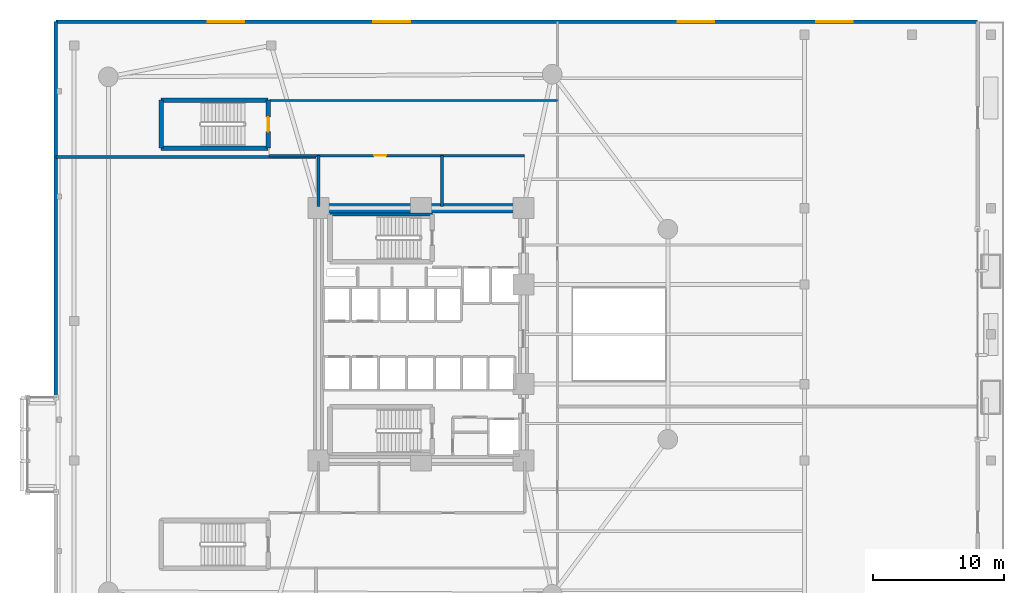
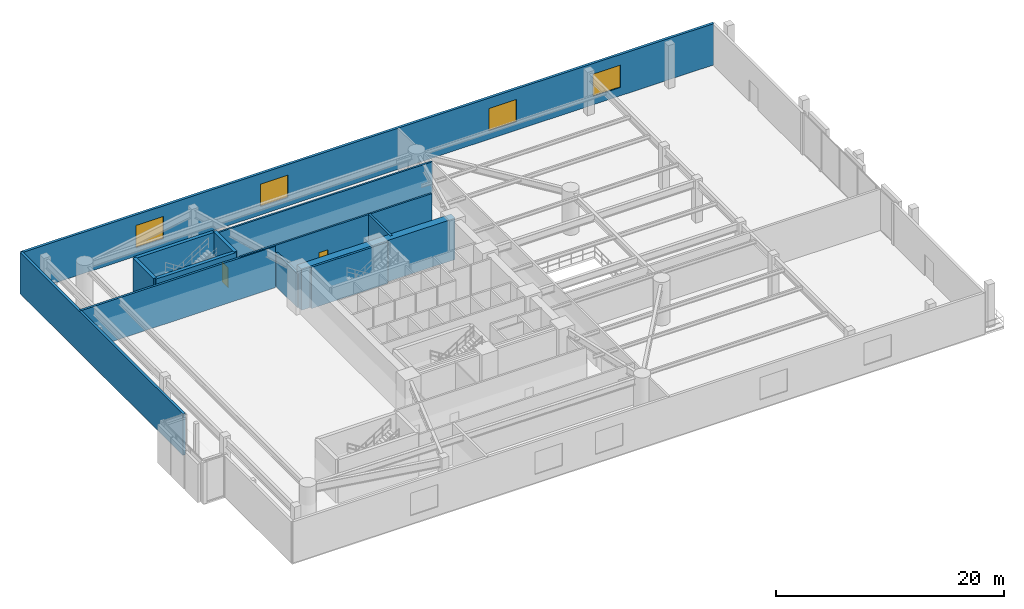
# One storey, part 12 of 16: 13 walls, 4 windows, 2 doors, 6 openings.
"""IFC4 building model written with IfcOpenShell, lengths in metres."""

import ifcopenshell
import ifcopenshell.guid

model = None  # the IFC model being written
_history = None  # IfcOwnerHistory: only IFC2X3 demands one
_inside = {}  # id of a spatial element -> (the spatial element, [elements in it])
_under = {}  # id of a project, library or spatial element -> (it, [spatial elements below it])
_declared = {}  # id of a project -> (the project, [libraries it declares])
_typed = {}  # id of a type object -> (the type object, [elements of that type])
_made_of = {}  # id of a material, layer set ... -> (it, [elements and type objects made of it])


def new_model(schema):
    """Start an empty IFC model of exactly this schema.

    Asked for "IFC4X3", IfcOpenShell would pick the latest addendum, in which some entities
    have other attributes; the version numbers below select the first issue.
    IFC2X3 requires an IfcOwnerHistory on every rooted entity: one is made here for all.
    """
    global model, _history
    if schema == "IFC4X3":
        model = ifcopenshell.file(schema_version=(4, 3, 0, 0))
    else:
        model = ifcopenshell.file(schema=schema)
    _inside.clear()
    _under.clear()
    _declared.clear()
    _typed.clear()
    _made_of.clear()
    _history = None
    if model.schema == "IFC2X3":
        org = make("IfcOrganization", Name="unknown")
        user = make(
            "IfcPersonAndOrganization",
            ThePerson=make("IfcPerson", FamilyName="unknown"),
            TheOrganization=org,
        )
        app = make(
            "IfcApplication",
            ApplicationDeveloper=org,
            Version="unknown",
            ApplicationFullName="unknown",
            ApplicationIdentifier="unknown",
        )
        _history = make(
            "IfcOwnerHistory",
            OwningUser=user,
            OwningApplication=app,
            ChangeAction="ADDED",
            CreationDate=0,
        )
    return model


def make(cls, **values):
    """One entity of the class cls with the attributes given. An attribute that is None is left unset."""
    return model.create_entity(
        cls, **{name: value for name, value in values.items() if value is not None}
    )


def rooted(cls, **values):
    """An entity with a GlobalId (a new one), such as an element, a storey or a relation."""
    return make(cls, GlobalId=ifcopenshell.guid.new(), OwnerHistory=_history, **values)


def si_unit(unit_type, name, prefix=None):
    """IfcSIUnit, for example si_unit("LENGTHUNIT", "METRE", prefix="MILLI")."""
    return make("IfcSIUnit", UnitType=unit_type, Prefix=prefix, Name=name)


def assignment(units):
    """IfcUnitAssignment: the units of a project."""
    return None if units is None else make("IfcUnitAssignment", Units=units)


def point(xyz):
    """IfcCartesianPoint."""
    return None if xyz is None else make("IfcCartesianPoint", Coordinates=xyz)


def direction(xyz):
    """IfcDirection."""
    return None if xyz is None else make("IfcDirection", DirectionRatios=xyz)


def frame(location, z_axis=None, x_axis=None):
    """IfcAxis2Placement3D, a coordinate frame: its origin and axes. An axis left out is left unset."""
    return make(
        "IfcAxis2Placement3D",
        Location=point(location),
        Axis=direction(z_axis),
        RefDirection=direction(x_axis),
    )


def frame_2d(location, x_axis=None):
    """IfcAxis2Placement2D, a coordinate frame in the plane: its origin and x axis."""
    return make(
        "IfcAxis2Placement2D", Location=point(location), RefDirection=direction(x_axis)
    )


def origin():
    """The frame at (0, 0, 0) with its axes left unset."""
    return frame((0.0, 0.0, 0.0))


def place(relative_to, where):
    """IfcLocalPlacement: puts the frame where relative to a parent placement (None: the world)."""
    return make(
        "IfcLocalPlacement", PlacementRelTo=relative_to, RelativePlacement=where
    )


def context(
    kind, dimensions, precision=None, world=None, true_north=None, identifier=None
):
    """IfcGeometricRepresentationContext, for example the 3D "Model" context."""
    return make(
        "IfcGeometricRepresentationContext",
        ContextIdentifier=identifier,
        ContextType=kind,
        CoordinateSpaceDimension=dimensions,
        Precision=precision,
        WorldCoordinateSystem=world,
        TrueNorth=true_north,
    )


def subcontext(parent, identifier, kind, view, scale=None):
    """IfcGeometricRepresentationSubContext, for example "Body" below "Model"."""
    return make(
        "IfcGeometricRepresentationSubContext",
        ContextIdentifier=identifier,
        ContextType=kind,
        ParentContext=parent,
        TargetScale=scale,
        TargetView=view,
    )


def project(units=None, contexts=None):
    """IfcProject with its units and contexts."""
    return rooted(
        "IfcProject",
        Name="project",
        RepresentationContexts=contexts,
        UnitsInContext=assignment(units),
    )


def spatial(cls, under=None, at=None, **own):
    """A site, building, storey or space (cls), placed at a placement, below another one or the project."""
    s = rooted(cls, ObjectPlacement=at, **own)
    if under is not None:
        _under.setdefault(under.id(), (under, []))[1].append(s)
    return s


def profile(cls, at=None, kind="AREA", **sizes):
    """A parametric profile (cls). Its sizes go by their IFC names, for example OverallWidth=200.0."""
    return make(cls, ProfileType=kind, Position=at, **sizes)


def rectangle(**sizes):
    """IfcRectangleProfileDef."""
    return profile("IfcRectangleProfileDef", **sizes)


def extrude(swept, where, along, depth):
    """IfcExtrudedAreaSolid: the profile swept, set in the frame where, extruded along a direction by depth."""
    return make(
        "IfcExtrudedAreaSolid",
        SweptArea=swept,
        Position=where,
        ExtrudedDirection=direction(along),
        Depth=depth,
    )


def shape(context_of_items, identifier, shape_type, items):
    """IfcShapeRepresentation: the items that make up one representation, for example the "Body"."""
    return make(
        "IfcShapeRepresentation",
        ContextOfItems=context_of_items,
        RepresentationIdentifier=identifier,
        RepresentationType=shape_type,
        Items=items,
    )


def material(Name=None, Category=None):
    """IfcMaterial."""
    return make("IfcMaterial", Name=Name, Category=Category)


def layer(
    of_material, thickness, ventilated=None, Name=None, Category=None, Priority=None
):
    """IfcMaterialLayer: one layer of a wall or slab, of a material (None: an air gap)."""
    return make(
        "IfcMaterialLayer",
        Material=of_material,
        LayerThickness=thickness,
        IsVentilated=ventilated,
        Name=Name,
        Category=Category,
        Priority=Priority,
    )


def layer_set(layers, Name=None):
    """IfcMaterialLayerSet."""
    return make("IfcMaterialLayerSet", MaterialLayers=layers, LayerSetName=Name)


def made_of(thing, what):
    """Note that an element or type object is made of a material, layer set ...; save() writes the relation."""
    if what is not None:
        _made_of.setdefault(what.id(), (what, []))[1].append(thing)
    return thing


def type_object(cls, material=None, **own):
    """A type object (cls), such as IfcWallType, which elements share."""
    return made_of(rooted(cls, **own), material)


def element(
    cls,
    number,
    at=None,
    inside=None,
    cuts=None,
    type_object=None,
    material=None,
    context=None,
    identifier="Body",
    shape_type=None,
    held_by="IfcProductDefinitionShape",
    body=None,
    shapes=None,
    **own,
):
    """One element of the class cls, such as IfcWall. Its Tag is "e" and its number.

    at: its placement. inside: the storey or other place that contains it. cuts: it is an
    opening in that element (IfcRelVoidsElement). A single representation is given by context,
    identifier, shape_type and body (its items); several are given by shapes. held_by: the class
    of the entity that holds the representations. save() writes the other relations.
    """
    e = rooted(cls, Tag="e%d" % number, ObjectPlacement=at, **own)
    if body is not None:
        shapes = [shape(context, identifier, shape_type, body)]
    if shapes is not None:
        e.Representation = make(held_by, Representations=shapes)
    if inside is not None:
        _inside.setdefault(inside.id(), (inside, []))[1].append(e)
    if cuts is not None:
        rooted(
            "IfcRelVoidsElement", RelatingBuildingElement=cuts, RelatedOpeningElement=e
        )
    if type_object is not None:
        _typed.setdefault(type_object.id(), (type_object, []))[1].append(e)
    return made_of(e, material)


def fill(opening, filler):
    """IfcRelFillsElement: the door or window that sits in an opening."""
    return rooted(
        "IfcRelFillsElement",
        RelatingOpeningElement=opening,
        RelatedBuildingElement=filler,
    )


def aggregate(whole, parts):
    """IfcRelAggregates: a whole, such as a stair, and the parts it consists of."""
    return rooted("IfcRelAggregates", RelatingObject=whole, RelatedObjects=parts)


def save(model, path):
    """Write the relations noted so far, then the file.

    IfcRelAggregates (storeys below a building ...), IfcRelContainedInSpatialStructure (elements
    in a storey), IfcRelDefinesByType, IfcRelAssociatesMaterial and IfcRelDeclares: one each for
    every whole, place, type object, material and project.
    """
    for whole, parts in _under.values():
        aggregate(whole, parts)
    for where, things in _inside.values():
        rooted(
            "IfcRelContainedInSpatialStructure",
            RelatedElements=things,
            RelatingStructure=where,
        )
    for kind, things in _typed.values():
        rooted("IfcRelDefinesByType", RelatedObjects=things, RelatingType=kind)
    for what, things in _made_of.values():
        rooted("IfcRelAssociatesMaterial", RelatedObjects=things, RelatingMaterial=what)
    for by, libraries in _declared.values():
        rooted("IfcRelDeclares", RelatingContext=by, RelatedDefinitions=libraries)
    model.write(path)


model = new_model("IFC4")

# Units and contexts
model_context = context("Model", 3, precision=1e-05, world=origin(), true_north=direction((0.0, 1.0)))
body_context = subcontext(model_context, "Body", "Model", "MODEL_VIEW")
ifc_project = project(units=[si_unit("LENGTHUNIT", "METRE"), si_unit("AREAUNIT", "SQUARE_METRE"), si_unit("VOLUMEUNIT", "CUBIC_METRE"), si_unit("PLANEANGLEUNIT", "RADIAN"), si_unit("MASSUNIT", "GRAM", prefix="KILO")], contexts=[model_context])

# Site, building, storey
site_placement = place(None, origin())
site = spatial("IfcSite", under=ifc_project, at=site_placement, CompositionType="ELEMENT")
building_placement = place(site_placement, origin())
building = spatial("IfcBuilding", under=site, at=building_placement, Name="An Khanh Terracotta Commons", CompositionType="ELEMENT")
storey_placement = place(building_placement, frame((0.0, 0.0, 5.39990234375)))
storey = spatial("IfcBuildingStorey", under=building, at=storey_placement, Name="L02", CompositionType="ELEMENT", Elevation=5.39990234375)

# Wall
ifc_material_1 = material(Name="Concrete C70/85", Category="concrete")
ifc_layer_1 = layer(ifc_material_1, 0.75, Name="Concrete C70/85")
ifc_layer_set_1 = layer_set([ifc_layer_1], Name="Concrete C70/85")
wall_type_1 = type_object("IfcWallType", Name="WALL-CORE-750", PredefinedType="SHEAR", material=ifc_layer_set_1)
wall_1_placement = place(storey_placement, frame((21.60009765625, 33.60009765625, 0.0), z_axis=(0.0, 0.0, 1.0), x_axis=(1.0, 0.0, 0.0)))
element("IfcWall", 1, at=wall_1_placement, inside=storey, type_object=wall_type_1, Name="L02 Core Wall CWALL-L02-N", PredefinedType="SHEAR", context=body_context, shape_type="SweptSolid", body=[
    extrude(rectangle(XDim=15.599853515625, YDim=0.75, at=frame_2d((7.7998046875, 0.0))), origin(), (0.0, 0.0, 1.0), 4.43017578125),
])

# Wall, opening, door
ifc_material_2 = material(Name="Fire-Rated Gypsum Board on Steel Stud", Category="steel")
ifc_layer_2 = layer(ifc_material_2, 0.179931640625, Name="Fire-Rated Gypsum Board on Steel Stud")
ifc_layer_set_2 = layer_set([ifc_layer_2], Name="Fire-Rated Gypsum Board on Steel Stud")
wall_type_2 = type_object("IfcWallType", Name="WALL-CORR-180", PredefinedType="PARTITIONING", material=ifc_layer_set_2)
wall_2_placement = place(storey_placement, frame((17.85009765625, 37.60009765625, 0.0), z_axis=(0.0, 0.0, 1.0), x_axis=(1.0, 0.0, 0.0)))
wall_2 = element("IfcWall", 2, at=wall_2_placement, inside=storey, type_object=wall_type_2, Name="L02 Interior Partition IW-L02-E005", PredefinedType="PARTITIONING", context=body_context, shape_type="SweptSolid", body=[
    extrude(rectangle(XDim=19.449951171875, YDim=0.179931640625, at=frame_2d((9.72509765625, 0.0))), origin(), (0.0, 0.0, 1.0), 4.43017578125),
])
opening_1_placement = place(wall_2_placement, frame((7.989990234375, 0.0, 0.0)))
opening_1 = element("IfcOpeningElement", 3, at=opening_1_placement, cuts=wall_2, Name="Opening D-RM", PredefinedType="OPENING", context=body_context, shape_type="SweptSolid", body=[
    extrude(rectangle(XDim=0.919921875, YDim=2.10009765625, at=frame_2d((0.4599609375, 1.050048828125))), frame((0.0, 0.099853515625, 0.0), z_axis=(0.0, -1.0, 0.0), x_axis=(1.0, 0.0, 0.0)), (0.0, 0.0, 1.0), 0.199951171875),
])
ifc_material_3 = material(Name="Engineered Hardwood Timber Leaf", Category="wood")
door_type_1 = type_object("IfcDoorType", Name="DOOR-INT-920", OperationType="NOTDEFINED", PredefinedType="DOOR", material=ifc_material_3)
door_1_placement = place(opening_1_placement, origin())
door_1 = element("IfcDoor", 4, at=door_1_placement, inside=storey, type_object=door_type_1, Name="L02 STR Podium Equipment and Copy Store Door", OperationType="SINGLE_SWING_RIGHT", OverallHeight=2.10009765625, OverallWidth=0.919921875, PredefinedType="DOOR", context=body_context, shape_type="SweptSolid", body=[
    extrude(rectangle(XDim=0.919921875, YDim=2.10009765625, at=frame_2d((0.4599609375, 1.050048828125))), frame((0.0, 0.02490234375, 0.0), z_axis=(0.0, -1.0, 0.0), x_axis=(1.0, 0.0, 0.0)), (0.0, 0.0, 1.0), 0.050048828125),
])
fill(opening_1, door_1)

# Walls
wall_3_placement = place(storey_placement, frame((17.889892578125, 41.800048828125, 0.0), z_axis=(0.0, 0.0, 1.0), x_axis=(1.0, 0.0, 0.0)))
element("IfcWall", 5, at=wall_3_placement, inside=storey, type_object=wall_type_2, Name="L02 Interior Partition IW-L02-E006", PredefinedType="PARTITIONING", context=body_context, shape_type="SweptSolid", body=[
    extrude(rectangle(XDim=21.91015625, YDim=0.179931640625, at=frame_2d((10.955078125, 0.0))), origin(), (0.0, 0.0, 1.0), 4.43017578125),
])
ifc_material_4 = material(Name="Acoustic Double-Stud Gypsum and Mineral Wool")
ifc_layer_3 = layer(ifc_material_4, 0.219970703125, Name="Acoustic Double-Stud Gypsum and Mineral Wool")
ifc_layer_set_3 = layer_set([ifc_layer_3], Name="Acoustic Double-Stud Gypsum and Mineral Wool")
wall_type_3 = type_object("IfcWallType", Name="WALL-PARTY-220", PredefinedType="PARTITIONING", material=ifc_layer_set_3)
wall_4_placement = place(storey_placement, frame((22.47998046875, 33.110107421875, 0.0), z_axis=(0.0, 0.0, 1.0), x_axis=(1.0, 0.0, 0.0)))
element("IfcWall", 6, at=wall_4_placement, inside=storey, type_object=wall_type_3, Name="L02 Core Wall STW-L02-N-N", PredefinedType="PARTITIONING", context=body_context, shape_type="SweptSolid", body=[
    extrude(rectangle(XDim=7.7900390625, YDim=0.219970703125, at=frame_2d((3.89501953125, 0.0))), origin(), (0.0, 0.0, 1.0), 4.43017578125),
])
wall_5_placement = place(storey_placement, frame((1.60009765625, 37.5, 0.0), z_axis=(0.0, 0.0, 1.0), x_axis=(1.0, 0.0, 0.0)))
element("IfcWall", 7, at=wall_5_placement, inside=storey, type_object=wall_type_3, Name="L02 Interior Partition IW-L02-E004", PredefinedType="PARTITIONING", context=body_context, shape_type="SweptSolid", body=[
    extrude(rectangle(XDim=19.7998046875, YDim=0.219970703125, at=frame_2d((9.89990234375, 0.0))), origin(), (0.0, 0.0, 1.0), 4.43017578125),
])
wall_6_placement = place(storey_placement, frame((21.60009765625, 33.719970703125, 0.0), z_axis=(0.0, 0.0, 1.0), x_axis=(0.0, 1.0, 0.0)))
element("IfcWall", 8, at=wall_6_placement, inside=storey, type_object=wall_type_3, Name="L02 Interior Partition IW-L02-E009", PredefinedType="PARTITIONING", context=body_context, shape_type="SweptSolid", body=[
    extrude(rectangle(XDim=3.880126953125, YDim=0.219970703125, at=frame_2d((1.93994140625, 0.0))), origin(), (0.0, 0.0, 1.0), 3.612060546875),
])
wall_7_placement = place(storey_placement, frame((31.0, 33.719970703125, 0.0), z_axis=(0.0, 0.0, 1.0), x_axis=(0.0, 1.0, 0.0)))
element("IfcWall", 9, at=wall_7_placement, inside=storey, type_object=wall_type_3, Name="L02 Interior Partition IW-L02-E011", PredefinedType="PARTITIONING", context=body_context, shape_type="SweptSolid", body=[
    extrude(rectangle(XDim=3.880126953125, YDim=0.219970703125, at=frame_2d((1.93994140625, 0.0))), origin(), (0.0, 0.0, 1.0), 4.43017578125),
])

# Wall, openings, windows
ifc_material_5 = material(Name="Concrete C40/50", Category="concrete")
ifc_layer_4 = layer(ifc_material_5, 0.260009765625, Name="Concrete C40/50")
ifc_layer_set_4 = layer_set([ifc_layer_4], Name="Concrete C40/50")
wall_type_4 = type_object("IfcWallType", Name="WALL-POD-260", PredefinedType="SOLIDWALL", material=ifc_layer_set_4)
wall_8_placement = place(storey_placement, frame((1.60009765625, 47.800048828125, 0.0), z_axis=(0.0, 0.0, 1.0), x_axis=(1.0, 0.0, 0.0)))
wall_8 = element("IfcWall", 10, at=wall_8_placement, inside=storey, type_object=wall_type_4, Name="L02 North Exterior Wall", PredefinedType="SOLIDWALL", context=body_context, shape_type="SweptSolid", body=[
    extrude(rectangle(XDim=70.199951171875, YDim=0.260009765625, at=frame_2d((35.10009765625, 0.0))), origin(), (0.0, 0.0, 1.0), 4.43017578125),
])
opening_2_placement = place(wall_8_placement, frame((11.56689453125, 0.0, 0.89990234375)))
opening_2 = element("IfcOpeningElement", 11, at=opening_2_placement, cuts=wall_8, Name="Opening W-08", PredefinedType="OPENING", context=body_context, shape_type="SweptSolid", body=[
    extrude(rectangle(XDim=2.800048828125, YDim=2.39990234375, at=frame_2d((1.39990234375, 1.199951171875))), frame((0.0, 0.139892578125, 0.0), z_axis=(0.0, -1.0, 0.0), x_axis=(1.0, 0.0, 0.0)), (0.0, 0.0, 1.0), 0.280029296875),
])
opening_3_placement = place(wall_8_placement, frame((24.18310546875, 0.0, 0.89990234375)))
opening_3 = element("IfcOpeningElement", 12, at=opening_3_placement, cuts=wall_8, Name="Opening W-08", PredefinedType="OPENING", context=body_context, shape_type="SweptSolid", body=[
    extrude(rectangle(XDim=2.800048828125, YDim=2.39990234375, at=frame_2d((1.39990234375, 1.199951171875))), frame((0.0, 0.139892578125, 0.0), z_axis=(0.0, -1.0, 0.0), x_axis=(1.0, 0.0, 0.0)), (0.0, 0.0, 1.0), 0.280029296875),
])
opening_4_placement = place(wall_8_placement, frame((47.35009765625, 0.0, 0.89990234375)))
opening_4 = element("IfcOpeningElement", 13, at=opening_4_placement, cuts=wall_8, Name="Opening W-08", PredefinedType="OPENING", context=body_context, shape_type="SweptSolid", body=[
    extrude(rectangle(XDim=2.800048828125, YDim=2.39990234375, at=frame_2d((1.39990234375, 1.199951171875))), frame((0.0, 0.139892578125, 0.0), z_axis=(0.0, -1.0, 0.0), x_axis=(1.0, 0.0, 0.0)), (0.0, 0.0, 1.0), 0.280029296875),
])
opening_5_placement = place(wall_8_placement, frame((57.89990234375, 0.0, 0.89990234375)))
opening_5 = element("IfcOpeningElement", 14, at=opening_5_placement, cuts=wall_8, Name="Opening W-08", PredefinedType="OPENING", context=body_context, shape_type="SweptSolid", body=[
    extrude(rectangle(XDim=2.800048828125, YDim=2.39990234375, at=frame_2d((1.39990234375, 1.199951171875))), frame((0.0, 0.139892578125, 0.0), z_axis=(0.0, -1.0, 0.0), x_axis=(1.0, 0.0, 0.0)), (0.0, 0.0, 1.0), 0.280029296875),
])
ifc_material_6 = material(Name="Thermally Broken Aluminium and Low-E Glass", Category="aluminium")
window_type = type_object("IfcWindowType", Name="WIN-POD-2800x2400", PartitioningType="TRIPLE_PANEL_VERTICAL", PredefinedType="WINDOW", material=ifc_material_6)
window_1_placement = place(opening_2_placement, origin())
window_1 = element("IfcWindow", 15, at=window_1_placement, inside=storey, type_object=window_type, Name="L02 North Podium Window 1", OverallHeight=2.39990234375, OverallWidth=2.800048828125, PartitioningType="TRIPLE_PANEL_VERTICAL", PredefinedType="WINDOW", context=body_context, shape_type="SweptSolid", body=[
    extrude(rectangle(XDim=2.800048828125, YDim=2.39990234375, at=frame_2d((1.39990234375, 1.199951171875))), frame((0.0, 0.030029296875, 0.0), z_axis=(0.0, -1.0, 0.0), x_axis=(1.0, 0.0, 0.0)), (0.0, 0.0, 1.0), 0.06005859375),
])
fill(opening_2, window_1)
window_2_placement = place(opening_3_placement, origin())
window_2 = element("IfcWindow", 16, at=window_2_placement, inside=storey, type_object=window_type, Name="L02 North Podium Window 2", OverallHeight=2.39990234375, OverallWidth=2.800048828125, PartitioningType="TRIPLE_PANEL_VERTICAL", PredefinedType="WINDOW", context=body_context, shape_type="SweptSolid", body=[
    extrude(rectangle(XDim=2.800048828125, YDim=2.39990234375, at=frame_2d((1.39990234375, 1.199951171875))), frame((0.0, 0.030029296875, 0.0), z_axis=(0.0, -1.0, 0.0), x_axis=(1.0, 0.0, 0.0)), (0.0, 0.0, 1.0), 0.06005859375),
])
fill(opening_3, window_2)
window_3_placement = place(opening_4_placement, origin())
window_3 = element("IfcWindow", 17, at=window_3_placement, inside=storey, type_object=window_type, Name="L02 North Podium Window 3", OverallHeight=2.39990234375, OverallWidth=2.800048828125, PartitioningType="TRIPLE_PANEL_VERTICAL", PredefinedType="WINDOW", context=body_context, shape_type="SweptSolid", body=[
    extrude(rectangle(XDim=2.800048828125, YDim=2.39990234375, at=frame_2d((1.39990234375, 1.199951171875))), frame((0.0, 0.030029296875, 0.0), z_axis=(0.0, -1.0, 0.0), x_axis=(1.0, 0.0, 0.0)), (0.0, 0.0, 1.0), 0.06005859375),
])
fill(opening_4, window_3)
window_4_placement = place(opening_5_placement, origin())
window_4 = element("IfcWindow", 18, at=window_4_placement, inside=storey, type_object=window_type, Name="L02 North Podium Window 4", OverallHeight=2.39990234375, OverallWidth=2.800048828125, PartitioningType="TRIPLE_PANEL_VERTICAL", PredefinedType="WINDOW", context=body_context, shape_type="SweptSolid", body=[
    extrude(rectangle(XDim=2.800048828125, YDim=2.39990234375, at=frame_2d((1.39990234375, 1.199951171875))), frame((0.0, 0.030029296875, 0.0), z_axis=(0.0, -1.0, 0.0), x_axis=(1.0, 0.0, 0.0)), (0.0, 0.0, 1.0), 0.06005859375),
])
fill(opening_5, window_4)

# Walls
wall_9_placement = place(storey_placement, frame((1.60009765625, 19.199951171875, 0.0), z_axis=(0.0, 0.0, 1.0), x_axis=(0.0, 1.0, 0.0)))
element("IfcWall", 19, at=wall_9_placement, inside=storey, type_object=wall_type_4, Name="L02 West Exterior Wall North", PredefinedType="SOLIDWALL", context=body_context, shape_type="SweptSolid", body=[
    extrude(rectangle(XDim=28.60009765625, YDim=0.260009765625, at=frame_2d((14.300048828125, 0.0))), origin(), (0.0, 0.0, 1.0), 4.43017578125),
])
ifc_material_7 = material(Name="Concrete C50/60", Category="concrete")
ifc_layer_5 = layer(ifc_material_7, 0.35009765625, Name="Concrete C50/60")
ifc_layer_set_5 = layer_set([ifc_layer_5], Name="Concrete C50/60")
wall_type_5 = type_object("IfcWallType", Name="WALL-SHAFT-350", PredefinedType="SOLIDWALL", material=ifc_layer_set_5)
wall_10_placement = place(storey_placement, frame((9.6298828125, 38.179931640625, 0.0), z_axis=(0.0, 0.0, 1.0), x_axis=(0.0, 1.0, 0.0)))
element("IfcWall", 20, at=wall_10_placement, inside=storey, type_object=wall_type_5, Name="L02 Podium Stair ST-P2 W Wall", PredefinedType="SOLIDWALL", context=body_context, shape_type="SweptSolid", body=[
    extrude(rectangle(XDim=3.64013671875, YDim=0.35009765625, at=frame_2d((1.820068359375, 0.0))), origin(), (0.0, 0.0, 1.0), 4.650146484375),
])
for number, where, z_axis, x_axis, name in (
    (21, (9.6298828125, 41.820068359375, 0.0), (0.0, 0.0, 1.0), (1.0, 0.0, 0.0), "L02 Podium Stair ST-P2 N Wall"),
    (22, (17.77001953125, 38.179931640625, 0.0), (0.0, 0.0, 1.0), (-1.0, 0.0, 0.0), "L02 Podium Stair ST-P2 S Wall"),
):
    element("IfcWall", number, at=place(storey_placement, frame(where, z_axis=z_axis, x_axis=x_axis)), inside=storey, type_object=wall_type_5, Name=name, PredefinedType="SOLIDWALL", context=body_context, shape_type="SweptSolid", body=[
        extrude(rectangle(XDim=8.14013671875, YDim=0.35009765625, at=frame_2d((4.070068359375, 0.0))), origin(), (0.0, 0.0, 1.0), 4.650146484375),
    ])

# Wall, opening, door
wall_11_placement = place(storey_placement, frame((17.77001953125, 38.179931640625, 0.0), z_axis=(0.0, 0.0, 1.0), x_axis=(0.0, 1.0, 0.0)))
wall_11 = element("IfcWall", 23, at=wall_11_placement, inside=storey, type_object=wall_type_5, Name="L02 Podium Stair ST-P2 E Wall", PredefinedType="SOLIDWALL", context=body_context, shape_type="SweptSolid", body=[
    extrude(rectangle(XDim=3.64013671875, YDim=0.35009765625, at=frame_2d((1.820068359375, 0.0))), origin(), (0.0, 0.0, 1.0), 4.650146484375),
])
opening_6_placement = place(wall_11_placement, frame((1.25, 0.0, 0.0)))
opening_6 = element("IfcOpeningElement", 24, at=opening_6_placement, cuts=wall_11, Name="Opening D-ST", PredefinedType="OPENING", context=body_context, shape_type="SweptSolid", body=[
    extrude(rectangle(XDim=1.10009765625, YDim=2.14990234375, at=frame_2d((0.550048828125, 1.074951171875))), frame((0.0, 0.18505859375, 0.0), z_axis=(0.0, -1.0, 0.0), x_axis=(1.0, 0.0, 0.0)), (0.0, 0.0, 1.0), 0.3701171875),
])
ifc_material_8 = material(Name="Fire-Rated Steel Leaf and Frame", Category="steel")
door_type_2 = type_object("IfcDoorType", Name="DOOR-STAIR-1100", OperationType="NOTDEFINED", PredefinedType="DOOR", material=ifc_material_8)
door_2_placement = place(opening_6_placement, origin())
door_2 = element("IfcDoor", 25, at=door_2_placement, inside=storey, type_object=door_type_2, Name="L02 Podium Stair ST-P2 Fire Door", OperationType="SINGLE_SWING_RIGHT", OverallHeight=2.14990234375, OverallWidth=1.10009765625, PredefinedType="DOOR", context=body_context, shape_type="SweptSolid", body=[
    extrude(rectangle(XDim=1.10009765625, YDim=2.14990234375, at=frame_2d((0.550048828125, 1.074951171875))), frame((0.0, 0.02490234375, 0.0), z_axis=(0.0, -1.0, 0.0), x_axis=(1.0, 0.0, 0.0)), (0.0, 0.0, 1.0), 0.050048828125),
])
fill(opening_6, door_2)

save(model, "model.ifc")
